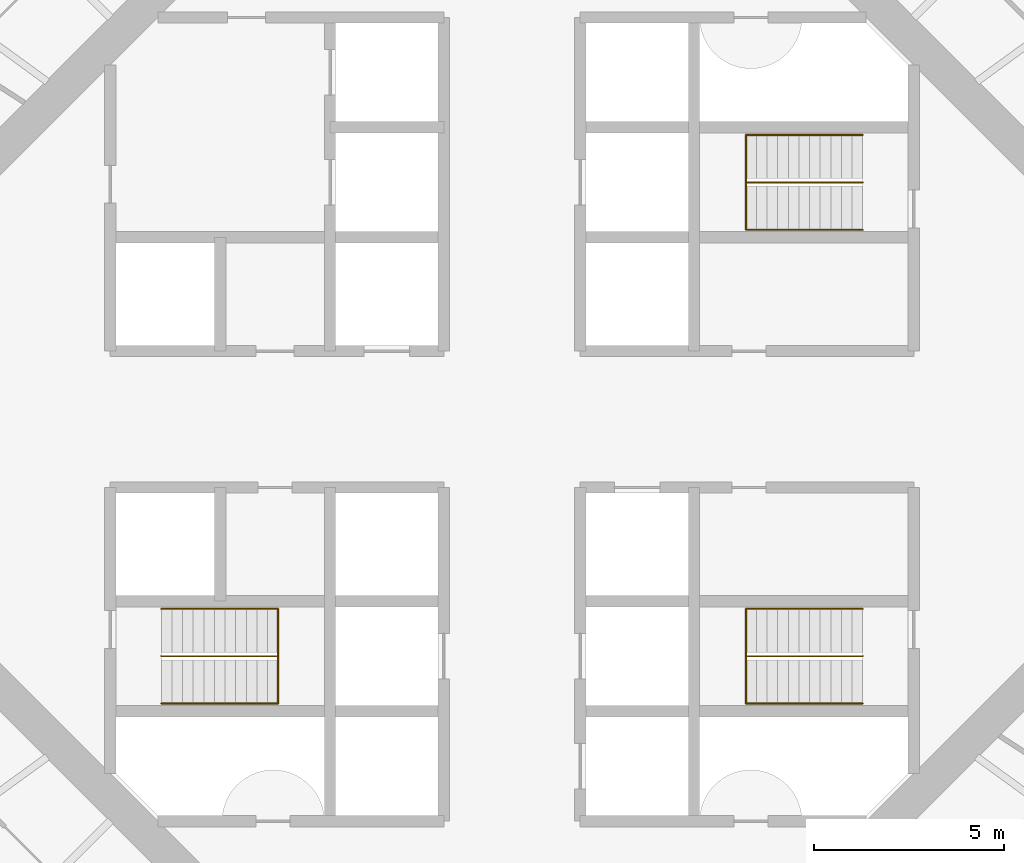
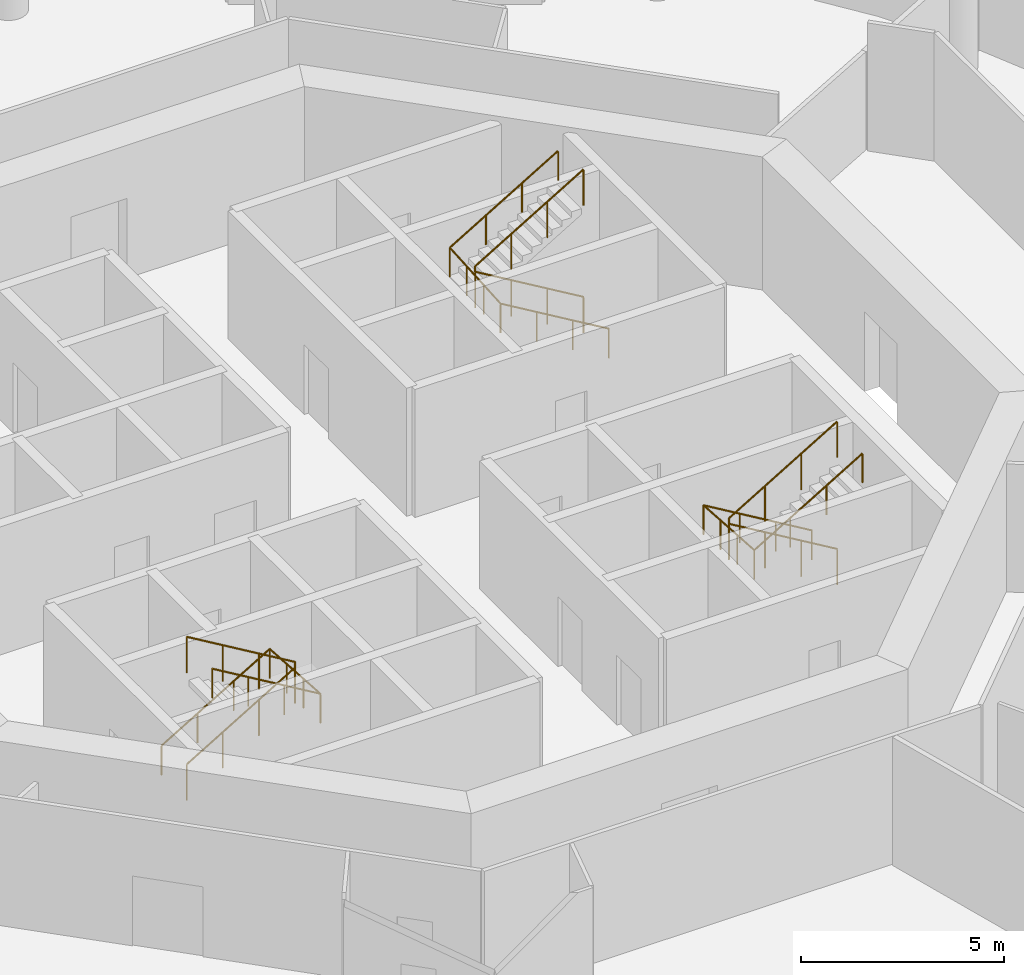
# One storey, part 12 of 12: 6 railings.
"""IFC4 building model written with IfcOpenShell, lengths in metres."""

from ifc_helpers import new_model, si_unit, direction, frame, origin, origin_2d, place, context, subcontext, project, spatial, circle, extrude, material, type_object, element, save


model = new_model("IFC4")

# Units and contexts
model_context = context("Model", 3, precision=1e-05, world=origin(), true_north=direction((0.0, 1.0)))
body_context = subcontext(model_context, "Body", "Model", "MODEL_VIEW")
ifc_project = project(units=[si_unit("LENGTHUNIT", "METRE"), si_unit("AREAUNIT", "SQUARE_METRE"), si_unit("VOLUMEUNIT", "CUBIC_METRE"), si_unit("PLANEANGLEUNIT", "RADIAN"), si_unit("MASSUNIT", "GRAM", prefix="KILO")], contexts=[model_context])

# Site, building, storey
site_placement = place(None, origin())
site = spatial("IfcSite", under=ifc_project, at=site_placement, CompositionType="ELEMENT")
building_placement = place(site_placement, origin())
building = spatial("IfcBuilding", under=site, at=building_placement, Name="Entoto Ring Tower", CompositionType="ELEMENT")
storey_placement = place(building_placement, frame((0.0, 0.0, 222.0)))
storey = spatial("IfcBuildingStorey", under=building, at=storey_placement, Name="L51", CompositionType="ELEMENT", Elevation=222.0)

# Railings
ifc_material_1 = material(Name="Steel S275", Category="steel")
railing_type_1 = type_object("IfcRailingType", Name="Stair guard 1100 mm steel", PredefinedType="GUARDRAIL", material=ifc_material_1)
railing_1_placement = place(storey_placement, frame((99.25, 86.25, 0.166748046875)))
element("IfcRailing", 1, at=railing_1_placement, inside=storey, type_object=railing_type_1, Name="Guard ST1", PredefinedType="GUARDRAIL", context=body_context, shape_type="SweptSolid", body=[
    extrude(circle(Radius=0.02392578125, at=origin_2d()), frame((0.0, 0.0, 1.076171875), z_axis=(-0.859308565015, 0.0, 0.511457515432), x_axis=(0.0, -1.0, 0.0)), (0.0, 0.0, 1.0), 3.58447265625),
    extrude(circle(Radius=0.02392578125, at=origin_2d()), frame((-3.080078125, 0.0, 2.9091796875), z_axis=(0.0, 0.0, 1.0), x_axis=(1.0, 0.0, 0.0)), (0.0, 0.0, 1.0), 0.166748046875),
    extrude(circle(Radius=0.02392578125, at=origin_2d()), frame((-3.080078125, 0.0, 3.076171875), z_axis=(0.859308565015, 0.0, 0.511457515432), x_axis=(0.0, 1.0, 0.0)), (0.0, 0.0, 1.0), 3.58447265625),
    extrude(circle(Radius=0.02099609375, at=origin_2d()), origin(), (0.0, 0.0, 1.0), 1.052001953125),
    extrude(circle(Radius=0.02099609375, at=origin_2d()), frame((-1.026611328125, 0.0, 0.611083984375)), (0.0, 0.0, 1.0), 1.052001953125),
    extrude(circle(Radius=0.02099609375, at=origin_2d()), frame((-2.053466796875, 0.0, 1.22216796875)), (0.0, 0.0, 1.0), 1.052001953125),
    extrude(circle(Radius=0.02099609375, at=origin_2d()), frame((-3.080078125, 0.0, 1.833251953125)), (0.0, 0.0, 1.0), 1.052001953125),
    extrude(circle(Radius=0.02099609375, at=origin_2d()), frame((-3.080078125, 0.0, 2.0)), (0.0, 0.0, 1.0), 1.052001953125),
    extrude(circle(Radius=0.02099609375, at=origin_2d()), frame((-2.053466796875, 0.0, 2.611083984375)), (0.0, 0.0, 1.0), 1.052001953125),
    extrude(circle(Radius=0.02099609375, at=origin_2d()), frame((-1.026611328125, 0.0, 3.22216796875)), (0.0, 0.0, 1.0), 1.052001953125),
    extrude(circle(Radius=0.02099609375, at=origin_2d()), frame((0.0, 0.0, 3.833251953125)), (0.0, 0.0, 1.0), 1.052001953125),
])
railing_2_placement = place(storey_placement, frame((80.75, 73.75, 0.166748046875)))
element("IfcRailing", 2, at=railing_2_placement, inside=storey, type_object=railing_type_1, Name="Guard ST2", PredefinedType="GUARDRAIL", context=body_context, shape_type="SweptSolid", body=[
    extrude(circle(Radius=0.02392578125, at=origin_2d()), frame((0.0, 0.0, 1.076171875), z_axis=(0.859308565015, 0.0, 0.511457515432), x_axis=(0.0, 1.0, 0.0)), (0.0, 0.0, 1.0), 3.58447265625),
    extrude(circle(Radius=0.02392578125, at=origin_2d()), frame((3.080078125, 0.0, 2.9091796875), z_axis=(0.0, 0.0, 1.0), x_axis=(1.0, 0.0, 0.0)), (0.0, 0.0, 1.0), 0.166748046875),
    extrude(circle(Radius=0.02392578125, at=origin_2d()), frame((3.080078125, 0.0, 3.076171875), z_axis=(-0.859308565015, 0.0, 0.511457515432), x_axis=(0.0, -1.0, 0.0)), (0.0, 0.0, 1.0), 3.58447265625),
    extrude(circle(Radius=0.02099609375, at=origin_2d()), origin(), (0.0, 0.0, 1.0), 1.052001953125),
    extrude(circle(Radius=0.02099609375, at=origin_2d()), frame((1.026611328125, 0.0, 0.611083984375)), (0.0, 0.0, 1.0), 1.052001953125),
    extrude(circle(Radius=0.02099609375, at=origin_2d()), frame((2.053466796875, 0.0, 1.22216796875)), (0.0, 0.0, 1.0), 1.052001953125),
    extrude(circle(Radius=0.02099609375, at=origin_2d()), frame((3.080078125, 0.0, 1.833251953125)), (0.0, 0.0, 1.0), 1.052001953125),
    extrude(circle(Radius=0.02099609375, at=origin_2d()), frame((3.080078125, 0.0, 2.0)), (0.0, 0.0, 1.0), 1.052001953125),
    extrude(circle(Radius=0.02099609375, at=origin_2d()), frame((2.053466796875, 0.0, 2.611083984375)), (0.0, 0.0, 1.0), 1.052001953125),
    extrude(circle(Radius=0.02099609375, at=origin_2d()), frame((1.026611328125, 0.0, 3.22216796875)), (0.0, 0.0, 1.0), 1.052001953125),
    extrude(circle(Radius=0.02099609375, at=origin_2d()), frame((0.0, 0.0, 3.833251953125)), (0.0, 0.0, 1.0), 1.052001953125),
])
railing_3_placement = place(storey_placement, frame((99.25, 73.75, 0.166748046875)))
element("IfcRailing", 3, at=railing_3_placement, inside=storey, type_object=railing_type_1, Name="Guard ST3", PredefinedType="GUARDRAIL", context=body_context, shape_type="SweptSolid", body=[
    extrude(circle(Radius=0.02392578125, at=origin_2d()), frame((0.0, 0.0, 1.076171875), z_axis=(-0.859308565015, 0.0, 0.511457515432), x_axis=(0.0, -1.0, 0.0)), (0.0, 0.0, 1.0), 3.58447265625),
    extrude(circle(Radius=0.02392578125, at=origin_2d()), frame((-3.080078125, 0.0, 2.9091796875), z_axis=(0.0, 0.0, 1.0), x_axis=(1.0, 0.0, 0.0)), (0.0, 0.0, 1.0), 0.166748046875),
    extrude(circle(Radius=0.02392578125, at=origin_2d()), frame((-3.080078125, 0.0, 3.076171875), z_axis=(0.859308565015, 0.0, 0.511457515432), x_axis=(0.0, 1.0, 0.0)), (0.0, 0.0, 1.0), 3.58447265625),
    extrude(circle(Radius=0.02099609375, at=origin_2d()), origin(), (0.0, 0.0, 1.0), 1.052001953125),
    extrude(circle(Radius=0.02099609375, at=origin_2d()), frame((-1.026611328125, 0.0, 0.611083984375)), (0.0, 0.0, 1.0), 1.052001953125),
    extrude(circle(Radius=0.02099609375, at=origin_2d()), frame((-2.053466796875, 0.0, 1.22216796875)), (0.0, 0.0, 1.0), 1.052001953125),
    extrude(circle(Radius=0.02099609375, at=origin_2d()), frame((-3.080078125, 0.0, 1.833251953125)), (0.0, 0.0, 1.0), 1.052001953125),
    extrude(circle(Radius=0.02099609375, at=origin_2d()), frame((-3.080078125, 0.0, 2.0)), (0.0, 0.0, 1.0), 1.052001953125),
    extrude(circle(Radius=0.02099609375, at=origin_2d()), frame((-2.053466796875, 0.0, 2.611083984375)), (0.0, 0.0, 1.0), 1.052001953125),
    extrude(circle(Radius=0.02099609375, at=origin_2d()), frame((-1.026611328125, 0.0, 3.22216796875)), (0.0, 0.0, 1.0), 1.052001953125),
    extrude(circle(Radius=0.02099609375, at=origin_2d()), frame((0.0, 0.0, 3.833251953125)), (0.0, 0.0, 1.0), 1.052001953125),
])
ifc_material_2 = material(Name="Steel S275", Category="steel")
railing_type_2 = type_object("IfcRailingType", Name="Stair handrail 900 mm steel", PredefinedType="HANDRAIL", material=ifc_material_2)
railing_4_placement = place(storey_placement, frame((99.25, 85.0, 0.166748046875)))
element("IfcRailing", 4, at=railing_4_placement, inside=storey, type_object=railing_type_2, Name="Handrail ST1", PredefinedType="HANDRAIL", context=body_context, shape_type="SweptSolid", body=[
    extrude(circle(Radius=0.02392578125, at=origin_2d()), frame((0.0, 0.0, 0.8759765625), z_axis=(-0.859308565015, 0.0, 0.511457515432), x_axis=(0.0, -1.0, 0.0)), (0.0, 0.0, 1.0), 3.58447265625),
    extrude(circle(Radius=0.02392578125, at=origin_2d()), frame((-3.080078125, 0.0, 2.708984375), z_axis=(0.0, 0.997783001586, 0.066551346688), x_axis=(-1.0, 0.0, 0.0)), (0.0, 0.0, 1.0), 2.505615234375),
    extrude(circle(Radius=0.02392578125, at=origin_2d()), frame((-3.080078125, 2.5, 2.8759765625), z_axis=(0.859308565015, 0.0, 0.511457515432), x_axis=(0.0, 1.0, 0.0)), (0.0, 0.0, 1.0), 3.58447265625),
    extrude(circle(Radius=0.02099609375, at=origin_2d()), origin(), (0.0, 0.0, 1.0), 0.851806640625),
    extrude(circle(Radius=0.02099609375, at=origin_2d()), frame((-1.026611328125, 0.0, 0.611083984375)), (0.0, 0.0, 1.0), 0.851806640625),
    extrude(circle(Radius=0.02099609375, at=origin_2d()), frame((-2.053466796875, 0.0, 1.22216796875)), (0.0, 0.0, 1.0), 0.851806640625),
    extrude(circle(Radius=0.02099609375, at=origin_2d()), frame((-3.080078125, 0.0, 1.833251953125)), (0.0, 0.0, 1.0), 0.851806640625),
    extrude(circle(Radius=0.02099609375, at=origin_2d()), frame((-3.080078125, 0.833251953125, 1.888916015625)), (0.0, 0.0, 1.0), 0.851806640625),
    extrude(circle(Radius=0.02099609375, at=origin_2d()), frame((-3.080078125, 1.666748046875, 1.9443359375)), (0.0, 0.0, 1.0), 0.851806640625),
    extrude(circle(Radius=0.02099609375, at=origin_2d()), frame((-3.080078125, 2.5, 2.0)), (0.0, 0.0, 1.0), 0.851806640625),
    extrude(circle(Radius=0.02099609375, at=origin_2d()), frame((-2.053466796875, 2.5, 2.611083984375)), (0.0, 0.0, 1.0), 0.851806640625),
    extrude(circle(Radius=0.02099609375, at=origin_2d()), frame((-1.026611328125, 2.5, 3.22216796875)), (0.0, 0.0, 1.0), 0.851806640625),
    extrude(circle(Radius=0.02099609375, at=origin_2d()), frame((0.0, 2.5, 3.833251953125)), (0.0, 0.0, 1.0), 0.851806640625),
])
railing_5_placement = place(storey_placement, frame((80.75, 75.0, 0.166748046875)))
element("IfcRailing", 5, at=railing_5_placement, inside=storey, type_object=railing_type_2, Name="Handrail ST2", PredefinedType="HANDRAIL", context=body_context, shape_type="SweptSolid", body=[
    extrude(circle(Radius=0.02392578125, at=origin_2d()), frame((0.0, 0.0, 0.8759765625), z_axis=(0.859308565015, 0.0, 0.511457515432), x_axis=(0.0, 1.0, 0.0)), (0.0, 0.0, 1.0), 3.58447265625),
    extrude(circle(Radius=0.02392578125, at=origin_2d()), frame((3.080078125, 0.0, 2.708984375), z_axis=(0.0, -0.997783001586, 0.066551346688), x_axis=(1.0, 0.0, 0.0)), (0.0, 0.0, 1.0), 2.505615234375),
    extrude(circle(Radius=0.02392578125, at=origin_2d()), frame((3.080078125, -2.5, 2.8759765625), z_axis=(-0.859308565015, 0.0, 0.511457515432), x_axis=(0.0, -1.0, 0.0)), (0.0, 0.0, 1.0), 3.58447265625),
    extrude(circle(Radius=0.02099609375, at=origin_2d()), origin(), (0.0, 0.0, 1.0), 0.851806640625),
    extrude(circle(Radius=0.02099609375, at=origin_2d()), frame((1.026611328125, 0.0, 0.611083984375)), (0.0, 0.0, 1.0), 0.851806640625),
    extrude(circle(Radius=0.02099609375, at=origin_2d()), frame((2.053466796875, 0.0, 1.22216796875)), (0.0, 0.0, 1.0), 0.851806640625),
    extrude(circle(Radius=0.02099609375, at=origin_2d()), frame((3.080078125, 0.0, 1.833251953125)), (0.0, 0.0, 1.0), 0.851806640625),
    extrude(circle(Radius=0.02099609375, at=origin_2d()), frame((3.080078125, -0.833251953125, 1.888916015625)), (0.0, 0.0, 1.0), 0.851806640625),
    extrude(circle(Radius=0.02099609375, at=origin_2d()), frame((3.080078125, -1.666748046875, 1.9443359375)), (0.0, 0.0, 1.0), 0.851806640625),
    extrude(circle(Radius=0.02099609375, at=origin_2d()), frame((3.080078125, -2.5, 2.0)), (0.0, 0.0, 1.0), 0.851806640625),
    extrude(circle(Radius=0.02099609375, at=origin_2d()), frame((2.053466796875, -2.5, 2.611083984375)), (0.0, 0.0, 1.0), 0.851806640625),
    extrude(circle(Radius=0.02099609375, at=origin_2d()), frame((1.026611328125, -2.5, 3.22216796875)), (0.0, 0.0, 1.0), 0.851806640625),
    extrude(circle(Radius=0.02099609375, at=origin_2d()), frame((0.0, -2.5, 3.833251953125)), (0.0, 0.0, 1.0), 0.851806640625),
])
railing_6_placement = place(storey_placement, frame((99.25, 75.0, 0.166748046875)))
element("IfcRailing", 6, at=railing_6_placement, inside=storey, type_object=railing_type_2, Name="Handrail ST3", PredefinedType="HANDRAIL", context=body_context, shape_type="SweptSolid", body=[
    extrude(circle(Radius=0.02392578125, at=origin_2d()), frame((0.0, 0.0, 0.8759765625), z_axis=(-0.859308565015, 0.0, 0.511457515432), x_axis=(0.0, -1.0, 0.0)), (0.0, 0.0, 1.0), 3.58447265625),
    extrude(circle(Radius=0.02392578125, at=origin_2d()), frame((-3.080078125, 0.0, 2.708984375), z_axis=(0.0, -0.997783001586, 0.066551346688), x_axis=(1.0, 0.0, 0.0)), (0.0, 0.0, 1.0), 2.505615234375),
    extrude(circle(Radius=0.02392578125, at=origin_2d()), frame((-3.080078125, -2.5, 2.8759765625), z_axis=(0.859308565015, 0.0, 0.511457515432), x_axis=(0.0, 1.0, 0.0)), (0.0, 0.0, 1.0), 3.58447265625),
    extrude(circle(Radius=0.02099609375, at=origin_2d()), origin(), (0.0, 0.0, 1.0), 0.851806640625),
    extrude(circle(Radius=0.02099609375, at=origin_2d()), frame((-1.026611328125, 0.0, 0.611083984375)), (0.0, 0.0, 1.0), 0.851806640625),
    extrude(circle(Radius=0.02099609375, at=origin_2d()), frame((-2.053466796875, 0.0, 1.22216796875)), (0.0, 0.0, 1.0), 0.851806640625),
    extrude(circle(Radius=0.02099609375, at=origin_2d()), frame((-3.080078125, 0.0, 1.833251953125)), (0.0, 0.0, 1.0), 0.851806640625),
    extrude(circle(Radius=0.02099609375, at=origin_2d()), frame((-3.080078125, -0.833251953125, 1.888916015625)), (0.0, 0.0, 1.0), 0.851806640625),
    extrude(circle(Radius=0.02099609375, at=origin_2d()), frame((-3.080078125, -1.666748046875, 1.9443359375)), (0.0, 0.0, 1.0), 0.851806640625),
    extrude(circle(Radius=0.02099609375, at=origin_2d()), frame((-3.080078125, -2.5, 2.0)), (0.0, 0.0, 1.0), 0.851806640625),
    extrude(circle(Radius=0.02099609375, at=origin_2d()), frame((-2.053466796875, -2.5, 2.611083984375)), (0.0, 0.0, 1.0), 0.851806640625),
    extrude(circle(Radius=0.02099609375, at=origin_2d()), frame((-1.026611328125, -2.5, 3.22216796875)), (0.0, 0.0, 1.0), 0.851806640625),
    extrude(circle(Radius=0.02099609375, at=origin_2d()), frame((0.0, -2.5, 3.833251953125)), (0.0, 0.0, 1.0), 0.851806640625),
])

save(model, "model.ifc")
